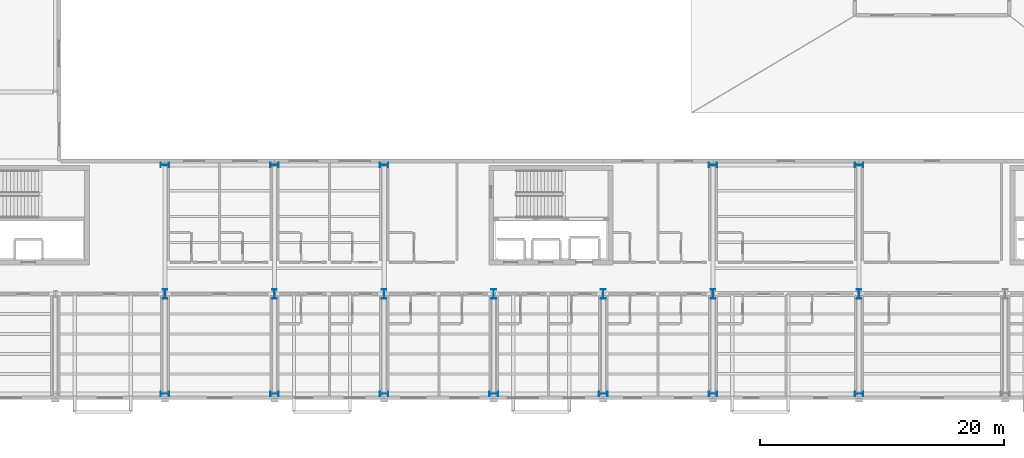
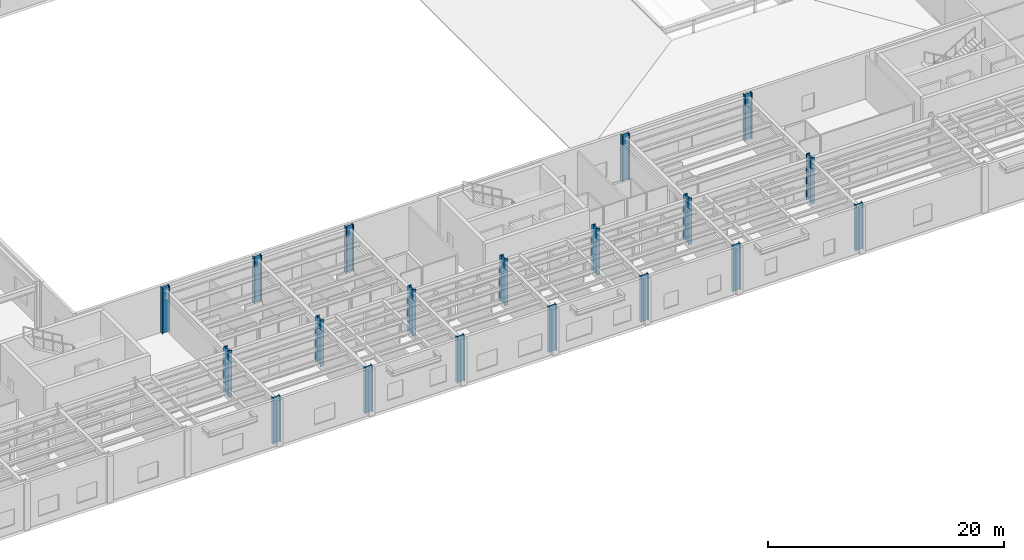
# One storey, part 5 of 91: 19 columns.
"""IFC4 building model written with IfcOpenShell, lengths in metres."""

from ifc_helpers import new_model, si_unit, direction, frame, origin, origin_2d, place, context, subcontext, project, spatial, i_section, extrude, material, material_profile, profile_set, type_object, element, save


model = new_model("IFC4")

# Units and contexts
model_context = context("Model", 3, precision=1e-05, world=origin(), true_north=direction((0.0, 1.0)))
body_context = subcontext(model_context, "Body", "Model", "MODEL_VIEW")
ifc_project = project(units=[si_unit("LENGTHUNIT", "METRE"), si_unit("AREAUNIT", "SQUARE_METRE"), si_unit("VOLUMEUNIT", "CUBIC_METRE"), si_unit("PLANEANGLEUNIT", "RADIAN"), si_unit("MASSUNIT", "GRAM", prefix="KILO")], contexts=[model_context])

# Site, building, storey
site_placement = place(None, origin())
site = spatial("IfcSite", under=ifc_project, at=site_placement, CompositionType="ELEMENT")
building_placement = place(site_placement, origin())
building = spatial("IfcBuilding", under=site, at=building_placement, Name="Sollismere Congress Hotel", CompositionType="ELEMENT")
storey_placement = place(building_placement, frame((0.0, 0.0, 10.800048828125)))
storey = spatial("IfcBuildingStorey", under=building, at=storey_placement, Name="L02", CompositionType="ELEMENT", Elevation=10.800048828125)

# Columns
ifc_material = material(Name="Steel ASTM A992 Grade 50", Category="steel")
ifc_material_profile_1 = material_profile(ifc_material, i_section(OverallWidth=0.35595703125, OverallDepth=0.714111328125, WebThickness=0.01904296875, FlangeThickness=0.033935546875, at=origin_2d()), Name="W27X194")
ifc_profile_set_1 = profile_set([ifc_material_profile_1], Name="Steel ASTM A992 Grade 50")
column_type_1 = type_object("IfcColumnType", Name="COL-W27", PredefinedType="COLUMN", material=ifc_profile_set_1)
for number, where, z_axis, x_axis, name in (
    (1, (67.0, 0.0, 0.0), (0.0, 0.0, 1.0), (0.0, 1.0, 0.0), "Column CL-L02-279"),
    (2, (67.0, 18.800048828125, 0.0), (0.0, 0.0, 1.0), (0.0, 1.0, 0.0), "Column CL-L02-301"),
    (3, (76.0, 0.0, 0.0), (0.0, 0.0, 1.0), (0.0, 1.0, 0.0), "Column CL-L02-343"),
    (4, (76.0, 18.800048828125, 0.0), (0.0, 0.0, 1.0), (0.0, 1.0, 0.0), "Column CL-L02-365"),
    (5, (85.0, 0.0, 0.0), (0.0, 0.0, 1.0), (0.0, 1.0, 0.0), "Column CL-L02-396"),
    (6, (85.0, 18.800048828125, 0.0), (0.0, 0.0, 1.0), (0.0, 1.0, 0.0), "Column CL-L02-422"),
    (7, (94.0, 0.0, 0.0), (0.0, 0.0, 1.0), (0.0, 1.0, 0.0), "Column CL-L02-455"),
    (8, (103.0, 0.0, 0.0), (0.0, 0.0, 1.0), (0.0, 1.0, 0.0), "Column CL-L02-513"),
    (9, (112.0, 0.0, 0.0), (0.0, 0.0, 1.0), (0.0, 1.0, 0.0), "Column CL-L02-571"),
    (10, (112.0, 18.800048828125, 0.0), (0.0, 0.0, 1.0), (0.0, 1.0, 0.0), "Column CL-L02-597"),
    (11, (124.0, 0.0, 0.0), (0.0, 0.0, 1.0), (0.0, 1.0, 0.0), "Column CL-L02-649"),
    (12, (124.0, 18.800048828125, 0.0), (0.0, 0.0, 1.0), (0.0, 1.0, 0.0), "Column CL-L02-675"),
):
    element("IfcColumn", number, at=place(storey_placement, frame(where, z_axis=z_axis, x_axis=x_axis)), inside=storey, type_object=column_type_1, Name=name, PredefinedType="COLUMN", context=body_context, shape_type="SweptSolid", body=[
        extrude(i_section(OverallWidth=0.35595703125, OverallDepth=0.714111328125, WebThickness=0.01904296875, FlangeThickness=0.033935546875, at=origin_2d()), origin(), (0.0, 0.0, 1.0), 4.800048828125),
    ])
ifc_material_profile_2 = material_profile(ifc_material, i_section(OverallWidth=0.384033203125, OverallDepth=0.787109375, WebThickness=0.019775390625, FlangeThickness=0.033447265625, at=origin_2d()), Name="W30X211")
ifc_profile_set_2 = profile_set([ifc_material_profile_2], Name="Steel ASTM A992 Grade 50")
column_type_2 = type_object("IfcColumnType", Name="COL-W30", PredefinedType="COLUMN", material=ifc_profile_set_2)
for number, where, z_axis, x_axis, name in (
    (13, (67.0, 8.199951171875, 0.0), (0.0, 0.0, 1.0), (1.0, 0.0, 0.0), "Column CL-L02-290"),
    (14, (76.0, 8.199951171875, 0.0), (0.0, 0.0, 1.0), (1.0, 0.0, 0.0), "Column CL-L02-354"),
    (15, (85.0, 8.199951171875, 0.0), (0.0, 0.0, 1.0), (1.0, 0.0, 0.0), "Column CL-L02-409"),
    (16, (94.0, 8.199951171875, 0.0), (0.0, 0.0, 1.0), (1.0, 0.0, 0.0), "Column CL-L02-468"),
    (17, (103.0, 8.199951171875, 0.0), (0.0, 0.0, 1.0), (1.0, 0.0, 0.0), "Column CL-L02-526"),
    (18, (112.0, 8.199951171875, 0.0), (0.0, 0.0, 1.0), (1.0, 0.0, 0.0), "Column CL-L02-584"),
    (19, (124.0, 8.199951171875, 0.0), (0.0, 0.0, 1.0), (1.0, 0.0, 0.0), "Column CL-L02-662"),
):
    element("IfcColumn", number, at=place(storey_placement, frame(where, z_axis=z_axis, x_axis=x_axis)), inside=storey, type_object=column_type_2, Name=name, PredefinedType="COLUMN", context=body_context, shape_type="SweptSolid", body=[
        extrude(i_section(OverallWidth=0.384033203125, OverallDepth=0.787109375, WebThickness=0.019775390625, FlangeThickness=0.033447265625, at=origin_2d()), origin(), (0.0, 0.0, 1.0), 4.800048828125),
    ])

save(model, "model.ifc")
